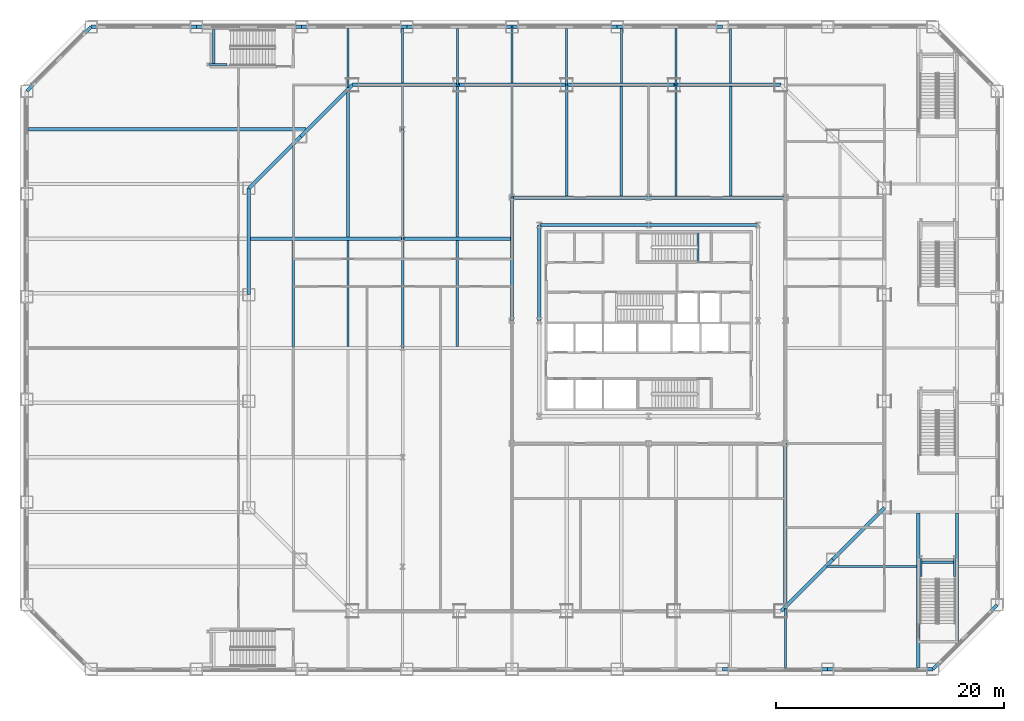
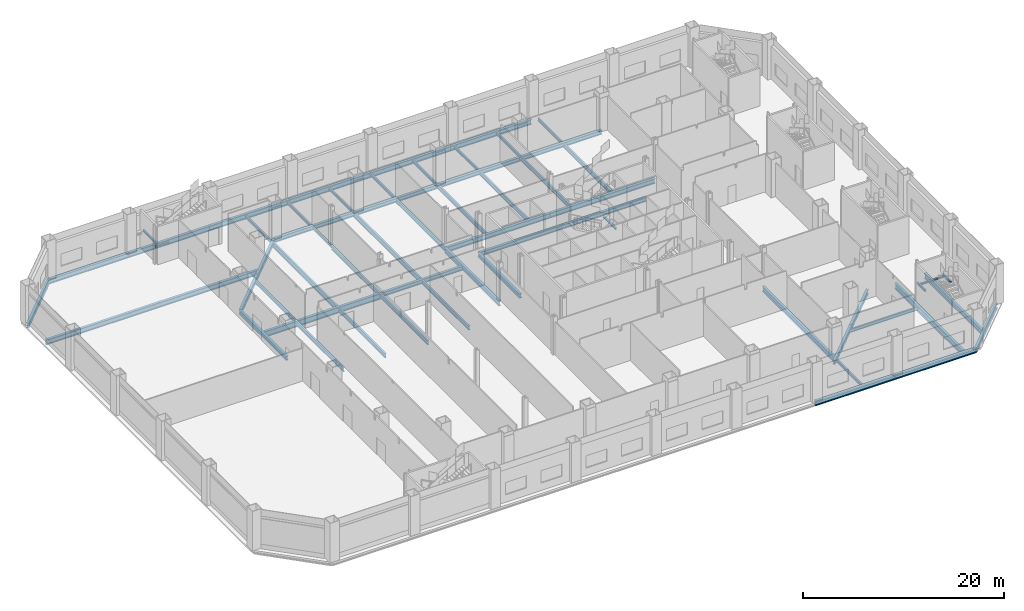
# One storey, part 9 of 26: 61 beams.
"""IFC4 building model written with IfcOpenShell, lengths in metres."""

from ifc_helpers import new_model, si_unit, direction, frame, origin, origin_2d, place, context, subcontext, project, spatial, i_section, extrude, material, material_profile, profile_set, type_object, element, save


model = new_model("IFC4")

# Units and contexts
model_context = context("Model", 3, precision=1e-05, world=origin(), true_north=direction((0.0, 1.0)))
body_context = subcontext(model_context, "Body", "Model", "MODEL_VIEW")
ifc_project = project(units=[si_unit("LENGTHUNIT", "METRE"), si_unit("AREAUNIT", "SQUARE_METRE"), si_unit("VOLUMEUNIT", "CUBIC_METRE"), si_unit("PLANEANGLEUNIT", "RADIAN"), si_unit("MASSUNIT", "GRAM", prefix="KILO")], contexts=[model_context])

# Site, building, storey
site_placement = place(None, origin())
site = spatial("IfcSite", under=ifc_project, at=site_placement, CompositionType="ELEMENT")
building_placement = place(site_placement, origin())
building = spatial("IfcBuilding", under=site, at=building_placement, Name="Cairn Pilgrim Tower", CompositionType="ELEMENT")
storey_placement = place(building_placement, frame((0.0, 0.0, 25.800048828125)))
storey = spatial("IfcBuildingStorey", under=building, at=storey_placement, Name="L04", CompositionType="ELEMENT", Elevation=25.800048828125)

# Beams
ifc_material = material(Name="Structural steel S355J2", Category="steel")
ifc_material_profile_1 = material_profile(ifc_material, i_section(OverallWidth=0.300048828125, OverallDepth=0.60009765625, WebThickness=0.015380859375, FlangeThickness=0.030029296875, FilletRadius=0.027099609375, at=origin_2d()), Name="HEB 600")
ifc_profile_set_1 = profile_set([ifc_material_profile_1], Name="Structural steel S355J2")
beam_type_1 = type_object("IfcBeamType", Name="PODIUM BEAM HE 600 B", PredefinedType="BEAM", material=ifc_profile_set_1)
beam_1_placement = place(storey_placement, frame((19.199951171875, -22.5751953125, -0.5), z_axis=(0.0, 1.0, 0.0), x_axis=(-1.0, 0.0, 0.0)))
element("IfcBeam", 1, at=beam_1_placement, inside=storey, type_object=beam_type_1, Name="PODIUM BEAM PB-HE600B", PredefinedType="BEAM", context=body_context, shape_type="SweptSolid", body=[
    extrude(i_section(OverallWidth=0.300048828125, OverallDepth=0.60009765625, WebThickness=0.015380859375, FlangeThickness=0.030029296875, FilletRadius=0.027099609375, at=origin_2d()), origin(), (0.0, 0.0, 1.0), 14.17529296875),
])
beam_2_placement = place(storey_placement, frame((-47.248046875, 19.199951171875, -0.5), z_axis=(1.0, 0.0, 0.0), x_axis=(0.0, 1.0, 0.0)))
element("IfcBeam", 2, at=beam_2_placement, inside=storey, type_object=beam_type_1, Name="PODIUM BEAM PB-HE600B", PredefinedType="BEAM", context=body_context, shape_type="SweptSolid", body=[
    extrude(i_section(OverallWidth=0.300048828125, OverallDepth=0.60009765625, WebThickness=0.015380859375, FlangeThickness=0.030029296875, FilletRadius=0.027099609375, at=origin_2d()), origin(), (0.0, 0.0, 1.0), 24.368896484375),
])
ifc_material_profile_2 = material_profile(ifc_material, i_section(OverallWidth=0.169921875, OverallDepth=0.360107421875, WebThickness=0.008056640625, FlangeThickness=0.0126953125, FilletRadius=0.01806640625, at=origin_2d()), Name="IPE 360")
ifc_profile_set_2 = profile_set([ifc_material_profile_2], Name="Structural steel S355J2")
beam_type_2 = type_object("IfcBeamType", Name="PODIUM BEAM IPE 360", PredefinedType="BEAM", material=ifc_profile_set_2)
beam_3_placement = place(storey_placement, frame((-14.39990234375, 19.199951171875, -0.380126953125), z_axis=(0.0, 1.0, 0.0), x_axis=(-1.0, 0.0, 0.0)))
element("IfcBeam", 3, at=beam_3_placement, inside=storey, type_object=beam_type_2, Name="PODIUM BEAM PB-IPE360", PredefinedType="BEAM", context=body_context, shape_type="SweptSolid", body=[
    extrude(i_section(OverallWidth=0.169921875, OverallDepth=0.360107421875, WebThickness=0.008056640625, FlangeThickness=0.0126953125, FilletRadius=0.01806640625, at=origin_2d()), origin(), (0.0, 0.0, 1.0), 3.748046875),
])
beam_4_placement = place(storey_placement, frame((-19.199951171875, 22.879150390625, -0.380126953125), z_axis=(0.0, 1.0, 0.0), x_axis=(-1.0, 0.0, 0.0)))
element("IfcBeam", 4, at=beam_4_placement, inside=storey, type_object=beam_type_2, Name="PODIUM BEAM PB-IPE360", PredefinedType="BEAM", context=body_context, shape_type="SweptSolid", body=[
    extrude(i_section(OverallWidth=0.169921875, OverallDepth=0.360107421875, WebThickness=0.008056640625, FlangeThickness=0.0126953125, FilletRadius=0.01806640625, at=origin_2d()), origin(), (0.0, 0.0, 1.0), 5.1689453125),
])
beam_5_placement = place(storey_placement, frame((-14.39990234375, 23.251953125, -0.380126953125), z_axis=(0.0, 1.0, 0.0), x_axis=(-1.0, 0.0, 0.0)))
element("IfcBeam", 5, at=beam_5_placement, inside=storey, type_object=beam_type_2, Name="PODIUM BEAM PB-IPE360", PredefinedType="BEAM", context=body_context, shape_type="SweptSolid", body=[
    extrude(i_section(OverallWidth=0.169921875, OverallDepth=0.360107421875, WebThickness=0.008056640625, FlangeThickness=0.0126953125, FilletRadius=0.01806640625, at=origin_2d()), origin(), (0.0, 0.0, 1.0), 4.796142578125),
])
for number, where, z_axis, x_axis, name in (
    (6, (-9.60009765625, 23.10009765625, -0.380126953125), (0.0, 1.0, 0.0), (-1.0, 0.0, 0.0), "PODIUM BEAM PB-IPE360"),
    (7, (-4.800048828125, 23.251953125, -0.380126953125), (0.0, 1.0, 0.0), (-1.0, 0.0, 0.0), "PODIUM BEAM PB-IPE360"),
    (8, (0.0, 23.10009765625, -0.380126953125), (0.0, 1.0, 0.0), (-1.0, 0.0, 0.0), "PODIUM BEAM PB-IPE360"),
):
    element("IfcBeam", number, at=place(storey_placement, frame(where, z_axis=z_axis, x_axis=x_axis)), inside=storey, type_object=beam_type_2, Name=name, PredefinedType="BEAM", context=body_context, shape_type="SweptSolid", body=[
        extrude(i_section(OverallWidth=0.169921875, OverallDepth=0.360107421875, WebThickness=0.008056640625, FlangeThickness=0.0126953125, FilletRadius=0.01806640625, at=origin_2d()), origin(), (0.0, 0.0, 1.0), 4.947998046875),
    ])
beam_6_placement = place(storey_placement, frame((4.800048828125, 23.251953125, -0.380126953125), z_axis=(0.0, 1.0, 0.0), x_axis=(-1.0, 0.0, 0.0)))
element("IfcBeam", 9, at=beam_6_placement, inside=storey, type_object=beam_type_2, Name="PODIUM BEAM PB-IPE360", PredefinedType="BEAM", context=body_context, shape_type="SweptSolid", body=[
    extrude(i_section(OverallWidth=0.169921875, OverallDepth=0.360107421875, WebThickness=0.008056640625, FlangeThickness=0.0126953125, FilletRadius=0.01806640625, at=origin_2d()), origin(), (0.0, 0.0, 1.0), 4.796142578125),
])
beam_7_placement = place(storey_placement, frame((9.60009765625, 23.10009765625, -0.380126953125), z_axis=(0.0, 1.0, 0.0), x_axis=(-1.0, 0.0, 0.0)))
element("IfcBeam", 10, at=beam_7_placement, inside=storey, type_object=beam_type_2, Name="PODIUM BEAM PB-IPE360", PredefinedType="BEAM", context=body_context, shape_type="SweptSolid", body=[
    extrude(i_section(OverallWidth=0.169921875, OverallDepth=0.360107421875, WebThickness=0.008056640625, FlangeThickness=0.0126953125, FilletRadius=0.01806640625, at=origin_2d()), origin(), (0.0, 0.0, 1.0), 4.947998046875),
])
beam_8_placement = place(storey_placement, frame((14.39990234375, 23.251953125, -0.380126953125), z_axis=(0.0, 1.0, 0.0), x_axis=(-1.0, 0.0, 0.0)))
element("IfcBeam", 11, at=beam_8_placement, inside=storey, type_object=beam_type_2, Name="PODIUM BEAM PB-IPE360", PredefinedType="BEAM", context=body_context, shape_type="SweptSolid", body=[
    extrude(i_section(OverallWidth=0.169921875, OverallDepth=0.360107421875, WebThickness=0.008056640625, FlangeThickness=0.0126953125, FilletRadius=0.01806640625, at=origin_2d()), origin(), (0.0, 0.0, 1.0), 4.796142578125),
])
beam_9_placement = place(storey_placement, frame((19.199951171875, -28.048095703125, -0.380126953125), z_axis=(0.0, 1.0, 0.0), x_axis=(-1.0, 0.0, 0.0)))
element("IfcBeam", 12, at=beam_9_placement, inside=storey, type_object=beam_type_2, Name="PODIUM BEAM PB-IPE360", PredefinedType="BEAM", context=body_context, shape_type="SweptSolid", body=[
    extrude(i_section(OverallWidth=0.169921875, OverallDepth=0.360107421875, WebThickness=0.008056640625, FlangeThickness=0.0126953125, FilletRadius=0.01806640625, at=origin_2d()), origin(), (0.0, 0.0, 1.0), 5.1689453125),
])
ifc_material_profile_3 = material_profile(ifc_material, i_section(OverallWidth=0.179931640625, OverallDepth=0.39990234375, WebThickness=0.008544921875, FlangeThickness=0.013427734375, FilletRadius=0.02099609375, at=origin_2d()), Name="IPE 400")
ifc_profile_set_3 = profile_set([ifc_material_profile_3], Name="Structural steel S355J2")
beam_type_3 = type_object("IfcBeamType", Name="PODIUM BEAM IPE 400", PredefinedType="BEAM", material=ifc_profile_set_3)
beam_10_placement = place(storey_placement, frame((-24.0, 9.751953125, -0.400146484375), z_axis=(0.0, 1.0, 0.0), x_axis=(-1.0, 0.0, 0.0)))
element("IfcBeam", 13, at=beam_10_placement, inside=storey, type_object=beam_type_3, Name="PODIUM BEAM PB-IPE400", PredefinedType="BEAM", context=body_context, shape_type="SweptSolid", body=[
    extrude(i_section(OverallWidth=0.179931640625, OverallDepth=0.39990234375, WebThickness=0.008544921875, FlangeThickness=0.013427734375, FilletRadius=0.02099609375, at=origin_2d()), origin(), (0.0, 0.0, 1.0), 8.023193359375),
])
beam_11_placement = place(storey_placement, frame((22.879150390625, -19.199951171875, -0.400146484375), z_axis=(1.0, 0.0, 0.0), x_axis=(0.0, 1.0, 0.0)))
element("IfcBeam", 14, at=beam_11_placement, inside=storey, type_object=beam_type_3, Name="PODIUM BEAM PB-IPE400", PredefinedType="BEAM", context=body_context, shape_type="SweptSolid", body=[
    extrude(i_section(OverallWidth=0.179931640625, OverallDepth=0.39990234375, WebThickness=0.008544921875, FlangeThickness=0.013427734375, FilletRadius=0.02099609375, at=origin_2d()), origin(), (0.0, 0.0, 1.0), 7.848876953125),
])
ifc_material_profile_4 = material_profile(ifc_material, i_section(OverallWidth=0.199951171875, OverallDepth=0.5, WebThickness=0.01025390625, FlangeThickness=0.01611328125, FilletRadius=0.02099609375, at=origin_2d()), Name="IPE 500")
ifc_profile_set_4 = profile_set([ifc_material_profile_4], Name="Structural steel S355J2")
beam_type_4 = type_object("IfcBeamType", Name="PODIUM BEAM IPE 500", PredefinedType="BEAM", material=ifc_profile_set_4)
for number, where, z_axis, x_axis, name in (
    (15, (-24.0, 0.152099609375, -0.449951171875), (0.0, 1.0, 0.0), (-1.0, 0.0, 0.0), "PODIUM BEAM PB-IPE500"),
    (16, (-19.199951171875, 0.152099609375, -0.449951171875), (0.0, 1.0, 0.0), (-1.0, 0.0, 0.0), "PODIUM BEAM PB-IPE500"),
):
    element("IfcBeam", number, at=place(storey_placement, frame(where, z_axis=z_axis, x_axis=x_axis)), inside=storey, type_object=beam_type_4, Name=name, PredefinedType="BEAM", context=body_context, shape_type="SweptSolid", body=[
        extrude(i_section(OverallWidth=0.199951171875, OverallDepth=0.5, WebThickness=0.01025390625, FlangeThickness=0.01611328125, FilletRadius=0.02099609375, at=origin_2d()), origin(), (0.0, 0.0, 1.0), 9.2958984375),
    ])
beam_12_placement = place(storey_placement, frame((-14.39990234375, 0.0, -0.449951171875), z_axis=(0.0, 1.0, 0.0), x_axis=(-1.0, 0.0, 0.0)))
element("IfcBeam", 17, at=beam_12_placement, inside=storey, type_object=beam_type_4, Name="PODIUM BEAM PB-IPE500", PredefinedType="BEAM", context=body_context, shape_type="SweptSolid", body=[
    extrude(i_section(OverallWidth=0.199951171875, OverallDepth=0.5, WebThickness=0.01025390625, FlangeThickness=0.01611328125, FilletRadius=0.02099609375, at=origin_2d()), origin(), (0.0, 0.0, 1.0), 9.60009765625),
])
beam_13_placement = place(storey_placement, frame((-14.39990234375, 9.60009765625, -0.449951171875), z_axis=(0.0, 1.0, 0.0), x_axis=(-1.0, 0.0, 0.0)))
element("IfcBeam", 18, at=beam_13_placement, inside=storey, type_object=beam_type_4, Name="PODIUM BEAM PB-IPE500", PredefinedType="BEAM", context=body_context, shape_type="SweptSolid", body=[
    extrude(i_section(OverallWidth=0.199951171875, OverallDepth=0.5, WebThickness=0.01025390625, FlangeThickness=0.01611328125, FilletRadius=0.02099609375, at=origin_2d()), origin(), (0.0, 0.0, 1.0), 9.599853515625),
])
beam_14_placement = place(storey_placement, frame((-9.60009765625, 0.152099609375, -0.449951171875), z_axis=(0.0, 1.0, 0.0), x_axis=(-1.0, 0.0, 0.0)))
element("IfcBeam", 19, at=beam_14_placement, inside=storey, type_object=beam_type_4, Name="PODIUM BEAM PB-IPE500", PredefinedType="BEAM", context=body_context, shape_type="SweptSolid", body=[
    extrude(i_section(OverallWidth=0.199951171875, OverallDepth=0.5, WebThickness=0.01025390625, FlangeThickness=0.01611328125, FilletRadius=0.02099609375, at=origin_2d()), origin(), (0.0, 0.0, 1.0), 9.2958984375),
])
for number, where, z_axis, x_axis, name in (
    (20, (-4.800048828125, 13.199951171875, -0.449951171875), (0.0, 1.0, 0.0), (-1.0, 0.0, 0.0), "PODIUM BEAM PB-IPE500"),
    (21, (0.0, 13.35205078125, -0.449951171875), (0.0, 1.0, 0.0), (-1.0, 0.0, 0.0), "PODIUM BEAM PB-IPE500"),
):
    element("IfcBeam", number, at=place(storey_placement, frame(where, z_axis=z_axis, x_axis=x_axis)), inside=storey, type_object=beam_type_4, Name=name, PredefinedType="BEAM", context=body_context, shape_type="SweptSolid", body=[
        extrude(i_section(OverallWidth=0.199951171875, OverallDepth=0.5, WebThickness=0.01025390625, FlangeThickness=0.01611328125, FilletRadius=0.02099609375, at=origin_2d()), origin(), (0.0, 0.0, 1.0), 9.748046875),
    ])
beam_15_placement = place(storey_placement, frame((4.800048828125, 13.35205078125, -0.449951171875), z_axis=(0.0, 1.0, 0.0), x_axis=(-1.0, 0.0, 0.0)))
element("IfcBeam", 22, at=beam_15_placement, inside=storey, type_object=beam_type_4, Name="PODIUM BEAM PB-IPE500", PredefinedType="BEAM", context=body_context, shape_type="SweptSolid", body=[
    extrude(i_section(OverallWidth=0.199951171875, OverallDepth=0.5, WebThickness=0.01025390625, FlangeThickness=0.01611328125, FilletRadius=0.02099609375, at=origin_2d()), origin(), (0.0, 0.0, 1.0), 9.595947265625),
])
beam_16_placement = place(storey_placement, frame((9.60009765625, 13.35205078125, -0.449951171875), z_axis=(0.0, 1.0, 0.0), x_axis=(-1.0, 0.0, 0.0)))
element("IfcBeam", 23, at=beam_16_placement, inside=storey, type_object=beam_type_4, Name="PODIUM BEAM PB-IPE500", PredefinedType="BEAM", context=body_context, shape_type="SweptSolid", body=[
    extrude(i_section(OverallWidth=0.199951171875, OverallDepth=0.5, WebThickness=0.01025390625, FlangeThickness=0.01611328125, FilletRadius=0.02099609375, at=origin_2d()), origin(), (0.0, 0.0, 1.0), 9.748046875),
])
beam_17_placement = place(storey_placement, frame((14.39990234375, 13.35205078125, -0.449951171875), z_axis=(0.0, 1.0, 0.0), x_axis=(-1.0, 0.0, 0.0)))
element("IfcBeam", 24, at=beam_17_placement, inside=storey, type_object=beam_type_4, Name="PODIUM BEAM PB-IPE500", PredefinedType="BEAM", context=body_context, shape_type="SweptSolid", body=[
    extrude(i_section(OverallWidth=0.199951171875, OverallDepth=0.5, WebThickness=0.01025390625, FlangeThickness=0.01611328125, FilletRadius=0.02099609375, at=origin_2d()), origin(), (0.0, 0.0, 1.0), 9.595947265625),
])
ifc_material_profile_5 = material_profile(ifc_material, i_section(OverallWidth=0.219970703125, OverallDepth=0.60009765625, WebThickness=0.011962890625, FlangeThickness=0.01904296875, FilletRadius=0.02392578125, at=origin_2d()), Name="IPE 600")
ifc_profile_set_5 = profile_set([ifc_material_profile_5], Name="Structural steel S355J2")
beam_type_5 = type_object("IfcBeamType", Name="PODIUM BEAM IPE 600", PredefinedType="BEAM", material=ifc_profile_set_5)
beam_18_placement = place(storey_placement, frame((-19.199951171875, 9.751953125, -0.5), z_axis=(0.0, 1.0, 0.0), x_axis=(-1.0, 0.0, 0.0)))
element("IfcBeam", 25, at=beam_18_placement, inside=storey, type_object=beam_type_5, Name="PODIUM BEAM PB-IPE600", PredefinedType="BEAM", context=body_context, shape_type="SweptSolid", body=[
    extrude(i_section(OverallWidth=0.219970703125, OverallDepth=0.60009765625, WebThickness=0.011962890625, FlangeThickness=0.01904296875, FilletRadius=0.02392578125, at=origin_2d()), origin(), (0.0, 0.0, 1.0), 12.8232421875),
])
beam_19_placement = place(storey_placement, frame((-9.60009765625, 9.751953125, -0.5), z_axis=(0.0, 1.0, 0.0), x_axis=(-1.0, 0.0, 0.0)))
element("IfcBeam", 26, at=beam_19_placement, inside=storey, type_object=beam_type_5, Name="PODIUM BEAM PB-IPE600", PredefinedType="BEAM", context=body_context, shape_type="SweptSolid", body=[
    extrude(i_section(OverallWidth=0.219970703125, OverallDepth=0.60009765625, WebThickness=0.011962890625, FlangeThickness=0.01904296875, FilletRadius=0.02392578125, at=origin_2d()), origin(), (0.0, 0.0, 1.0), 13.34814453125),
])
ifc_material_profile_6 = material_profile(ifc_material, i_section(OverallWidth=0.300048828125, OverallDepth=0.60009765625, WebThickness=0.015380859375, FlangeThickness=0.030029296875, FilletRadius=0.027099609375, at=origin_2d()), Name="HEB 600")
ifc_profile_set_6 = profile_set([ifc_material_profile_6], Name="Structural steel S355J2")
beam_type_6 = type_object("IfcBeamType", Name="PODIUM EDGE GIRDER HE 600 B", PredefinedType="BEAM", material=ifc_profile_set_6)
beam_20_placement = place(storey_placement, frame((13.67578125, -28.199951171875, -0.5), z_axis=(1.0, 0.0, 0.0), x_axis=(0.0, 1.0, 0.0)))
element("IfcBeam", 27, at=beam_20_placement, inside=storey, type_object=beam_type_6, Name="PODIUM EDGE GIRDER PE-HE600B", PredefinedType="BEAM", context=body_context, shape_type="SweptSolid", body=[
    extrude(i_section(OverallWidth=0.300048828125, OverallDepth=0.60009765625, WebThickness=0.015380859375, FlangeThickness=0.030029296875, FilletRadius=0.027099609375, at=origin_2d()), origin(), (0.0, 0.0, 1.0), 9.23779296875),
])
beam_21_placement = place(storey_placement, frame((22.91357421875, -28.199951171875, -0.5), z_axis=(1.0, 0.0, 0.0), x_axis=(0.0, 1.0, 0.0)))
element("IfcBeam", 28, at=beam_21_placement, inside=storey, type_object=beam_type_6, Name="PODIUM EDGE GIRDER PE-HE600B", PredefinedType="BEAM", context=body_context, shape_type="SweptSolid", body=[
    extrude(i_section(OverallWidth=0.300048828125, OverallDepth=0.60009765625, WebThickness=0.015380859375, FlangeThickness=0.030029296875, FilletRadius=0.027099609375, at=origin_2d()), origin(), (0.0, 0.0, 1.0), 9.238037109375),
])
beam_22_placement = place(storey_placement, frame((32.151611328125, -28.199951171875, -0.5), z_axis=(0.707106781187, 0.707106781187, 0.0), x_axis=(-0.707106781187, 0.707106781187, 0.0)))
element("IfcBeam", 29, at=beam_22_placement, inside=storey, type_object=beam_type_6, Name="PODIUM EDGE GIRDER PE-HE600B", PredefinedType="BEAM", context=body_context, shape_type="SweptSolid", body=[
    extrude(i_section(OverallWidth=0.300048828125, OverallDepth=0.60009765625, WebThickness=0.015380859375, FlangeThickness=0.030029296875, FilletRadius=0.027099609375, at=origin_2d()), origin(), (0.0, 0.0, 1.0), 7.988037109375),
])
beam_23_placement = place(storey_placement, frame((13.67578125, 28.199951171875, -0.5), z_axis=(-1.0, 0.0, 0.0), x_axis=(0.0, -1.0, 0.0)))
element("IfcBeam", 30, at=beam_23_placement, inside=storey, type_object=beam_type_6, Name="PODIUM EDGE GIRDER PE-HE600B", PredefinedType="BEAM", context=body_context, shape_type="SweptSolid", body=[
    extrude(i_section(OverallWidth=0.300048828125, OverallDepth=0.60009765625, WebThickness=0.015380859375, FlangeThickness=0.030029296875, FilletRadius=0.027099609375, at=origin_2d()), origin(), (0.0, 0.0, 1.0), 9.23779296875),
])
beam_24_placement = place(storey_placement, frame((4.43798828125, 28.199951171875, -0.5), z_axis=(-1.0, 0.0, 0.0), x_axis=(0.0, -1.0, 0.0)))
element("IfcBeam", 31, at=beam_24_placement, inside=storey, type_object=beam_type_6, Name="PODIUM EDGE GIRDER PE-HE600B", PredefinedType="BEAM", context=body_context, shape_type="SweptSolid", body=[
    extrude(i_section(OverallWidth=0.300048828125, OverallDepth=0.60009765625, WebThickness=0.015380859375, FlangeThickness=0.030029296875, FilletRadius=0.027099609375, at=origin_2d()), origin(), (0.0, 0.0, 1.0), 9.238037109375),
])
for number, where, z_axis, x_axis, name in (
    (32, (-4.800048828125, 28.199951171875, -0.5), (-1.0, 0.0, 0.0), (0.0, -1.0, 0.0), "PODIUM EDGE GIRDER PE-HE600B"),
    (33, (-14.037841796875, 28.199951171875, -0.5), (-1.0, 0.0, 0.0), (0.0, -1.0, 0.0), "PODIUM EDGE GIRDER PE-HE600B"),
):
    element("IfcBeam", number, at=place(storey_placement, frame(where, z_axis=z_axis, x_axis=x_axis)), inside=storey, type_object=beam_type_6, Name=name, PredefinedType="BEAM", context=body_context, shape_type="SweptSolid", body=[
        extrude(i_section(OverallWidth=0.300048828125, OverallDepth=0.60009765625, WebThickness=0.015380859375, FlangeThickness=0.030029296875, FilletRadius=0.027099609375, at=origin_2d()), origin(), (0.0, 0.0, 1.0), 9.23779296875),
    ])
beam_25_placement = place(storey_placement, frame((-23.275634765625, 28.199951171875, -0.5), z_axis=(-1.0, 0.0, 0.0), x_axis=(0.0, -1.0, 0.0)))
element("IfcBeam", 34, at=beam_25_placement, inside=storey, type_object=beam_type_6, Name="PODIUM EDGE GIRDER PE-HE600B", PredefinedType="BEAM", context=body_context, shape_type="SweptSolid", body=[
    extrude(i_section(OverallWidth=0.300048828125, OverallDepth=0.60009765625, WebThickness=0.015380859375, FlangeThickness=0.030029296875, FilletRadius=0.027099609375, at=origin_2d()), origin(), (0.0, 0.0, 1.0), 9.238037109375),
])
beam_26_placement = place(storey_placement, frame((-32.513671875, 28.199951171875, -0.5), z_axis=(-1.0, 0.0, 0.0), x_axis=(0.0, -1.0, 0.0)))
element("IfcBeam", 35, at=beam_26_placement, inside=storey, type_object=beam_type_6, Name="PODIUM EDGE GIRDER PE-HE600B", PredefinedType="BEAM", context=body_context, shape_type="SweptSolid", body=[
    extrude(i_section(OverallWidth=0.300048828125, OverallDepth=0.60009765625, WebThickness=0.015380859375, FlangeThickness=0.030029296875, FilletRadius=0.027099609375, at=origin_2d()), origin(), (0.0, 0.0, 1.0), 9.23779296875),
])
beam_27_placement = place(storey_placement, frame((-41.75146484375, 28.199951171875, -0.5), z_axis=(-0.707106781187, -0.707106781187, 0.0), x_axis=(0.707106781187, -0.707106781187, 0.0)))
element("IfcBeam", 36, at=beam_27_placement, inside=storey, type_object=beam_type_6, Name="PODIUM EDGE GIRDER PE-HE600B", PredefinedType="BEAM", context=body_context, shape_type="SweptSolid", body=[
    extrude(i_section(OverallWidth=0.300048828125, OverallDepth=0.60009765625, WebThickness=0.015380859375, FlangeThickness=0.030029296875, FilletRadius=0.027099609375, at=origin_2d()), origin(), (0.0, 0.0, 1.0), 7.988037109375),
])
ifc_material_profile_7 = material_profile(ifc_material, i_section(OverallWidth=0.300048828125, OverallDepth=0.5, WebThickness=0.014404296875, FlangeThickness=0.028076171875, FilletRadius=0.027099609375, at=origin_2d()), Name="HEB 500")
ifc_profile_set_7 = profile_set([ifc_material_profile_7], Name="Structural steel S355J2")
beam_type_7 = type_object("IfcBeamType", Name="PODIUM GIRDER HE 500 B", PredefinedType="BEAM", material=ifc_profile_set_7)
for number, where, z_axis, x_axis, name in (
    (37, (18.8271484375, -23.10009765625, -0.449951171875), (0.707106781187, 0.707106781187, 0.0), (-0.707106781187, 0.707106781187, 0.0), "PODIUM GIRDER PG-HE500B"),
    (38, (23.363525390625, -18.563720703125, -0.449951171875), (0.707087753759, 0.707125808102, 0.0), (-0.707125808102, 0.707087753759, 0.0), "PODIUM GIRDER PG-HE500B"),
):
    element("IfcBeam", number, at=place(storey_placement, frame(where, z_axis=z_axis, x_axis=x_axis)), inside=storey, type_object=beam_type_7, Name=name, PredefinedType="BEAM", context=body_context, shape_type="SweptSolid", body=[
        extrude(i_section(OverallWidth=0.300048828125, OverallDepth=0.5, WebThickness=0.014404296875, FlangeThickness=0.028076171875, FilletRadius=0.027099609375, at=origin_2d()), origin(), (0.0, 0.0, 1.0), 6.41552734375),
    ])
for number, where, z_axis, x_axis, name in (
    (39, (18.8271484375, 23.10009765625, -0.449951171875), (-1.0, 0.0, 0.0), (0.0, -1.0, 0.0), "PODIUM GIRDER PG-HE500B"),
    (40, (9.41357421875, 23.10009765625, -0.449951171875), (-1.0, 0.0, 0.0), (0.0, -1.0, 0.0), "PODIUM GIRDER PG-HE500B"),
    (41, (0.0, 23.10009765625, -0.449951171875), (-1.0, 0.0, 0.0), (0.0, -1.0, 0.0), "PODIUM GIRDER PG-HE500B"),
    (42, (-9.41357421875, 23.10009765625, -0.449951171875), (-1.0, 0.0, 0.0), (0.0, -1.0, 0.0), "PODIUM GIRDER PG-HE500B"),
):
    element("IfcBeam", number, at=place(storey_placement, frame(where, z_axis=z_axis, x_axis=x_axis)), inside=storey, type_object=beam_type_7, Name=name, PredefinedType="BEAM", context=body_context, shape_type="SweptSolid", body=[
        extrude(i_section(OverallWidth=0.300048828125, OverallDepth=0.5, WebThickness=0.014404296875, FlangeThickness=0.028076171875, FilletRadius=0.027099609375, at=origin_2d()), origin(), (0.0, 0.0, 1.0), 9.41357421875),
    ])
for number, where, z_axis, x_axis, name in (
    (43, (-18.8271484375, 23.10009765625, -0.449951171875), (-0.707106781187, -0.707106781187, 0.0), (0.707106781187, -0.707106781187, 0.0), "PODIUM GIRDER PG-HE500B"),
    (44, (-23.363525390625, 18.563720703125, -0.449951171875), (-0.707087753759, -0.707125808102, 0.0), (0.707125808102, -0.707087753759, 0.0), "PODIUM GIRDER PG-HE500B"),
):
    element("IfcBeam", number, at=place(storey_placement, frame(where, z_axis=z_axis, x_axis=x_axis)), inside=storey, type_object=beam_type_7, Name=name, PredefinedType="BEAM", context=body_context, shape_type="SweptSolid", body=[
        extrude(i_section(OverallWidth=0.300048828125, OverallDepth=0.5, WebThickness=0.014404296875, FlangeThickness=0.028076171875, FilletRadius=0.027099609375, at=origin_2d()), origin(), (0.0, 0.0, 1.0), 6.41552734375),
    ])
beam_28_placement = place(storey_placement, frame((-27.89990234375, 14.027099609375, -0.449951171875), z_axis=(0.0, -1.0, 0.0), x_axis=(1.0, 0.0, 0.0)))
element("IfcBeam", 45, at=beam_28_placement, inside=storey, type_object=beam_type_7, Name="PODIUM GIRDER PG-HE500B", PredefinedType="BEAM", context=body_context, shape_type="SweptSolid", body=[
    extrude(i_section(OverallWidth=0.300048828125, OverallDepth=0.5, WebThickness=0.014404296875, FlangeThickness=0.028076171875, FilletRadius=0.027099609375, at=origin_2d()), origin(), (0.0, 0.0, 1.0), 9.351318359375),
])
beam_29_placement = place(storey_placement, frame((16.800048828125, 10.800048828125, -0.449951171875), z_axis=(-1.0, 0.0, 0.0), x_axis=(0.0, -1.0, 0.0)))
element("IfcBeam", 46, at=beam_29_placement, inside=storey, type_object=beam_type_7, Name="PODIUM GIRDER PG-HE500B", PredefinedType="BEAM", context=body_context, shape_type="SweptSolid", body=[
    extrude(i_section(OverallWidth=0.300048828125, OverallDepth=0.5, WebThickness=0.014404296875, FlangeThickness=0.028076171875, FilletRadius=0.027099609375, at=origin_2d()), origin(), (0.0, 0.0, 1.0), 9.60009765625),
])
beam_30_placement = place(storey_placement, frame((7.199951171875, 10.800048828125, -0.449951171875), z_axis=(-1.0, 0.0, 0.0), x_axis=(0.0, -1.0, 0.0)))
element("IfcBeam", 47, at=beam_30_placement, inside=storey, type_object=beam_type_7, Name="PODIUM GIRDER PG-HE500B", PredefinedType="BEAM", context=body_context, shape_type="SweptSolid", body=[
    extrude(i_section(OverallWidth=0.300048828125, OverallDepth=0.5, WebThickness=0.014404296875, FlangeThickness=0.028076171875, FilletRadius=0.027099609375, at=origin_2d()), origin(), (0.0, 0.0, 1.0), 9.599853515625),
])
beam_31_placement = place(storey_placement, frame((-2.39990234375, 10.800048828125, -0.449951171875), z_axis=(0.0, -1.0, 0.0), x_axis=(1.0, 0.0, 0.0)))
element("IfcBeam", 48, at=beam_31_placement, inside=storey, type_object=beam_type_7, Name="PODIUM GIRDER PG-HE500B", PredefinedType="BEAM", context=body_context, shape_type="SweptSolid", body=[
    extrude(i_section(OverallWidth=0.300048828125, OverallDepth=0.5, WebThickness=0.014404296875, FlangeThickness=0.028076171875, FilletRadius=0.027099609375, at=origin_2d()), origin(), (0.0, 0.0, 1.0), 8.400146484375),
])
beam_32_placement = place(storey_placement, frame((-14.39990234375, 9.60009765625, -0.449951171875), z_axis=(1.0, 0.0, 0.0), x_axis=(0.0, 1.0, 0.0)))
element("IfcBeam", 49, at=beam_32_placement, inside=storey, type_object=beam_type_7, Name="PODIUM GIRDER PG-HE500B", PredefinedType="BEAM", context=body_context, shape_type="SweptSolid", body=[
    extrude(i_section(OverallWidth=0.300048828125, OverallDepth=0.5, WebThickness=0.014404296875, FlangeThickness=0.028076171875, FilletRadius=0.027099609375, at=origin_2d()), origin(), (0.0, 0.0, 1.0), 9.447998046875),
])
ifc_material_profile_8 = material_profile(ifc_material, i_section(OverallWidth=0.300048828125, OverallDepth=0.60009765625, WebThickness=0.015380859375, FlangeThickness=0.030029296875, FilletRadius=0.027099609375, at=origin_2d()), Name="HEB 600")
ifc_profile_set_8 = profile_set([ifc_material_profile_8], Name="Structural steel S355J2")
beam_type_8 = type_object("IfcBeamType", Name="PODIUM GIRDER HE 600 B", PredefinedType="BEAM", material=ifc_profile_set_8)
for number, where, z_axis, x_axis, name in (
    (50, (19.199951171875, 13.199951171875, -0.5), (-1.0, 0.0, 0.0), (0.0, -1.0, 0.0), "PODIUM GIRDER PG-HE600B"),
    (51, (7.199951171875, 13.199951171875, -0.5), (-1.0, 0.0, 0.0), (0.0, -1.0, 0.0), "PODIUM GIRDER PG-HE600B"),
):
    element("IfcBeam", number, at=place(storey_placement, frame(where, z_axis=z_axis, x_axis=x_axis)), inside=storey, type_object=beam_type_8, Name=name, PredefinedType="BEAM", context=body_context, shape_type="SweptSolid", body=[
        extrude(i_section(OverallWidth=0.300048828125, OverallDepth=0.60009765625, WebThickness=0.015380859375, FlangeThickness=0.030029296875, FilletRadius=0.027099609375, at=origin_2d()), origin(), (0.0, 0.0, 1.0), 12.0),
    ])
beam_33_placement = place(storey_placement, frame((-4.800048828125, 13.199951171875, -0.5), z_axis=(0.0, -1.0, 0.0), x_axis=(1.0, 0.0, 0.0)))
element("IfcBeam", 52, at=beam_33_placement, inside=storey, type_object=beam_type_8, Name="PODIUM GIRDER PG-HE600B", PredefinedType="BEAM", context=body_context, shape_type="SweptSolid", body=[
    extrude(i_section(OverallWidth=0.300048828125, OverallDepth=0.60009765625, WebThickness=0.015380859375, FlangeThickness=0.030029296875, FilletRadius=0.027099609375, at=origin_2d()), origin(), (0.0, 0.0, 1.0), 10.800048828125),
])
beam_34_placement = place(storey_placement, frame((34.27001953125, -25.929443359375, -0.5), z_axis=(0.0, 1.0, 0.0), x_axis=(-1.0, 0.0, 0.0)))
element("IfcBeam", 53, at=beam_34_placement, inside=storey, type_object=beam_type_8, Name="PODIUM GIRDER PG-HE600B", PredefinedType="BEAM", context=body_context, shape_type="SweptSolid", body=[
    extrude(i_section(OverallWidth=0.300048828125, OverallDepth=0.60009765625, WebThickness=0.015380859375, FlangeThickness=0.030029296875, FilletRadius=0.027099609375, at=origin_2d()), origin(), (0.0, 0.0, 1.0), 11.427490234375),
])
ifc_material_profile_9 = material_profile(ifc_material, i_section(OverallWidth=0.300048828125, OverallDepth=0.699951171875, WebThickness=0.01708984375, FlangeThickness=0.031982421875, FilletRadius=0.027099609375, at=origin_2d()), Name="HEB 700")
ifc_profile_set_9 = profile_set([ifc_material_profile_9], Name="Structural steel S355J2")
beam_type_9 = type_object("IfcBeamType", Name="PODIUM GIRDER HE 700 B", PredefinedType="BEAM", material=ifc_profile_set_9)
beam_35_placement = place(storey_placement, frame((-27.748046875, 9.60009765625, -0.550048828125), z_axis=(1.0, 0.0, 0.0), x_axis=(0.0, 1.0, 0.0)))
element("IfcBeam", 54, at=beam_35_placement, inside=storey, type_object=beam_type_9, Name="PODIUM GIRDER PG-HE700B", PredefinedType="BEAM", context=body_context, shape_type="SweptSolid", body=[
    extrude(i_section(OverallWidth=0.300048828125, OverallDepth=0.699951171875, WebThickness=0.01708984375, FlangeThickness=0.031982421875, FilletRadius=0.027099609375, at=origin_2d()), origin(), (0.0, 0.0, 1.0), 13.34814453125),
])
beam_36_placement = place(storey_placement, frame((30.8798828125, -28.048095703125, -0.550048828125), z_axis=(0.0, 1.0, 0.0), x_axis=(-1.0, 0.0, 0.0)))
element("IfcBeam", 55, at=beam_36_placement, inside=storey, type_object=beam_type_9, Name="PODIUM GIRDER PG-HE700B", PredefinedType="BEAM", context=body_context, shape_type="SweptSolid", body=[
    extrude(i_section(OverallWidth=0.300048828125, OverallDepth=0.699951171875, WebThickness=0.01708984375, FlangeThickness=0.031982421875, FilletRadius=0.027099609375, at=origin_2d()), origin(), (0.0, 0.0, 1.0), 13.546142578125),
])
ifc_material_profile_10 = material_profile(ifc_material, i_section(OverallWidth=0.199951171875, OverallDepth=0.199951171875, WebThickness=0.009033203125, FlangeThickness=0.014892578125, FilletRadius=0.01806640625, at=origin_2d()), Name="HE 200 B")
ifc_profile_set_10 = profile_set([ifc_material_profile_10], Name="Structural steel S355J2")
beam_type_10 = type_object("IfcBeamType", Name="STAIR LANDING BEAM HE 200 B", PredefinedType="BEAM", material=ifc_profile_set_10)
beam_37_placement = place(storey_placement, frame((-31.39990234375, 24.89990234375, 2.099853515625), z_axis=(1.0, 0.0, 0.0), x_axis=(0.0, 1.0, 0.0)))
element("IfcBeam", 56, at=beam_37_placement, inside=storey, type_object=beam_type_10, Name="STAIR LANDING BEAM LD-HE200B", PredefinedType="BEAM", context=body_context, shape_type="SweptSolid", body=[
    extrude(i_section(OverallWidth=0.199951171875, OverallDepth=0.199951171875, WebThickness=0.009033203125, FlangeThickness=0.014892578125, FilletRadius=0.01806640625, at=origin_2d()), origin(), (0.0, 0.0, 1.0), 1.579833984375),
])
beam_38_placement = place(storey_placement, frame((-30.9951171875, 25.0, 2.099853515625), z_axis=(0.0, 1.0, 0.0), x_axis=(-1.0, 0.0, 0.0)))
element("IfcBeam", 57, at=beam_38_placement, inside=storey, type_object=beam_type_10, Name="STAIR LANDING BEAM LD-HE200B", PredefinedType="BEAM", context=body_context, shape_type="SweptSolid", body=[
    extrude(i_section(OverallWidth=0.199951171875, OverallDepth=0.199951171875, WebThickness=0.009033203125, FlangeThickness=0.014892578125, FilletRadius=0.01806640625, at=origin_2d()), origin(), (0.0, 0.0, 1.0), 2.949951171875),
])
for number, where, z_axis, x_axis, name in (
    (58, (31.10498046875, -18.4599609375, 2.099853515625), (0.0, -1.0, 0.0), (1.0, 0.0, 0.0), "STAIR LANDING BEAM LD-HE200B"),
    (59, (34.044921875, -18.4599609375, 2.099853515625), (0.0, -1.0, 0.0), (1.0, 0.0, 0.0), "STAIR LANDING BEAM LD-HE200B"),
):
    element("IfcBeam", number, at=place(storey_placement, frame(where, z_axis=z_axis, x_axis=x_axis)), inside=storey, type_object=beam_type_10, Name=name, PredefinedType="BEAM", context=body_context, shape_type="SweptSolid", body=[
        extrude(i_section(OverallWidth=0.199951171875, OverallDepth=0.199951171875, WebThickness=0.009033203125, FlangeThickness=0.014892578125, FilletRadius=0.01806640625, at=origin_2d()), origin(), (0.0, 0.0, 1.0), 1.625),
    ])
beam_39_placement = place(storey_placement, frame((31.205078125, -18.804931640625, 2.099853515625), z_axis=(1.0, 0.0, 0.0), x_axis=(0.0, 1.0, 0.0)))
element("IfcBeam", 60, at=beam_39_placement, inside=storey, type_object=beam_type_10, Name="STAIR LANDING BEAM LD-HE200B", PredefinedType="BEAM", context=body_context, shape_type="SweptSolid", body=[
    extrude(i_section(OverallWidth=0.199951171875, OverallDepth=0.199951171875, WebThickness=0.009033203125, FlangeThickness=0.014892578125, FilletRadius=0.01806640625, at=origin_2d()), origin(), (0.0, 0.0, 1.0), 2.739990234375),
])
beam_40_placement = place(storey_placement, frame((11.5244140625, 10.10009765625, -0.300048828125), z_axis=(0.0, -1.0, 0.0), x_axis=(1.0, 0.0, 0.0)))
element("IfcBeam", 61, at=beam_40_placement, inside=storey, type_object=beam_type_10, Name="STAIR LANDING BEAM LD-HE200B", PredefinedType="BEAM", context=body_context, shape_type="SweptSolid", body=[
    extrude(i_section(OverallWidth=0.199951171875, OverallDepth=0.199951171875, WebThickness=0.009033203125, FlangeThickness=0.014892578125, FilletRadius=0.01806640625, at=origin_2d()), origin(), (0.0, 0.0, 1.0), 2.525146484375),
])

save(model, "model.ifc")
